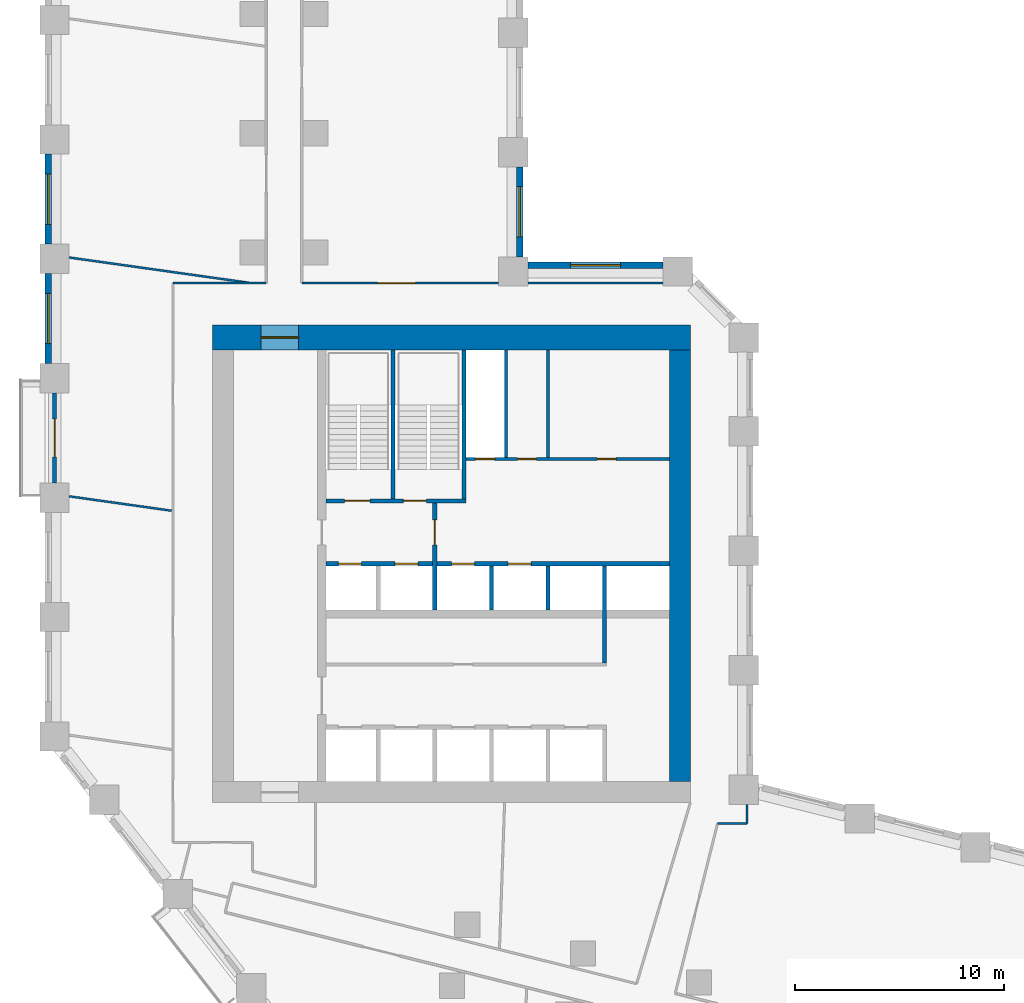
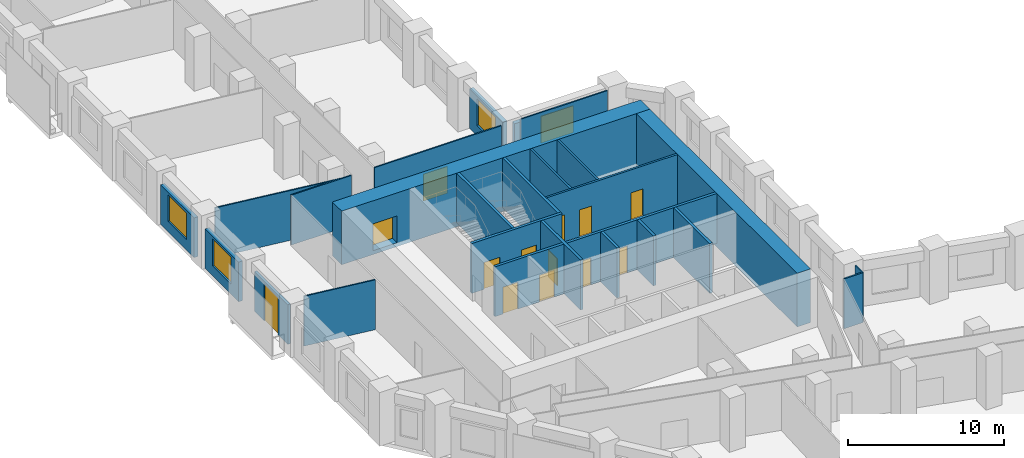
# One storey, part 5 of 11: 25 walls, 13 doors, 4 windows, 17 openings.
"""IFC4 building model written with IfcOpenShell, lengths in metres."""

from ifc_helpers import new_model, si_unit, direction, frame, frame_2d, origin, place, context, subcontext, project, spatial, rectangle, extrude, material, layer, layer_set, type_object, element, fill, save


model = new_model("IFC4")

# Units and contexts
model_context = context("Model", 3, precision=1e-05, world=origin(), true_north=direction((0.0, 1.0)))
body_context = subcontext(model_context, "Body", "Model", "MODEL_VIEW")
ifc_project = project(units=[si_unit("LENGTHUNIT", "METRE"), si_unit("AREAUNIT", "SQUARE_METRE"), si_unit("VOLUMEUNIT", "CUBIC_METRE"), si_unit("PLANEANGLEUNIT", "RADIAN"), si_unit("MASSUNIT", "GRAM", prefix="KILO")], contexts=[model_context])

# Site, building, storey
site_placement = place(None, origin())
site = spatial("IfcSite", under=ifc_project, at=site_placement, CompositionType="ELEMENT")
building_placement = place(site_placement, origin())
building = spatial("IfcBuilding", under=site, at=building_placement, Name="Meshkara Civic Tower", CompositionType="ELEMENT")
storey_placement = place(building_placement, frame((0.0, 0.0, 70.800048828125)))
storey = spatial("IfcBuildingStorey", under=building, at=storey_placement, Name="L15", CompositionType="ELEMENT", Elevation=70.800048828125)

# Wall, openings, doors
ifc_material_1 = material(Name="Blockwork", Category="masonry")
ifc_layer_1 = layer(ifc_material_1, 0.14990234375)
ifc_layer_set_1 = layer_set([ifc_layer_1], Name="Core partition 150")
wall_type_1 = type_object("IfcWallType", Name="Core partition 150", PredefinedType="PARTITIONING", material=ifc_layer_set_1)
wall_1_placement = place(storey_placement, frame((20.10009765625, 30.5, 0.0), z_axis=(0.0, 0.0, 1.0), x_axis=(1.0, 0.0, 0.0)))
wall_1 = element("IfcWall", 1, at=wall_1_placement, inside=storey, type_object=wall_type_1, Name="L15-C010", PredefinedType="PARTITIONING", context=body_context, shape_type="SweptSolid", body=[
    extrude(rectangle(XDim=9.699951171875, YDim=0.14990234375, at=frame_2d((4.85009765625, 0.0))), origin(), (0.0, 0.0, 1.0), 3.89990234375),
])
opening_1_placement = place(wall_1_placement, frame((0.449951171875, 0.0, 0.0)))
opening_1 = element("IfcOpeningElement", 2, at=opening_1_placement, cuts=wall_1, Name="Opening L15-K011", PredefinedType="OPENING", context=body_context, shape_type="SweptSolid", body=[
    extrude(rectangle(XDim=0.89990234375, YDim=2.10009765625, at=frame_2d((0.449951171875, 1.050048828125))), frame((0.0, 0.0849609375, 0.0), z_axis=(0.0, -1.0, 0.0), x_axis=(1.0, 0.0, 0.0)), (0.0, 0.0, 1.0), 0.169921875),
])
opening_2_placement = place(wall_1_placement, frame((2.449951171875, 0.0, 0.0)))
opening_2 = element("IfcOpeningElement", 3, at=opening_2_placement, cuts=wall_1, Name="Opening L15-K012", PredefinedType="OPENING", context=body_context, shape_type="SweptSolid", body=[
    extrude(rectangle(XDim=0.89990234375, YDim=2.10009765625, at=frame_2d((0.449951171875, 1.050048828125))), frame((0.0, 0.0849609375, 0.0), z_axis=(0.0, -1.0, 0.0), x_axis=(1.0, 0.0, 0.0)), (0.0, 0.0, 1.0), 0.169921875),
])
opening_3_placement = place(wall_1_placement, frame((6.25, 0.0, 0.0)))
opening_3 = element("IfcOpeningElement", 4, at=opening_3_placement, cuts=wall_1, Name="Opening L15-K013", PredefinedType="OPENING", context=body_context, shape_type="SweptSolid", body=[
    extrude(rectangle(XDim=0.89990234375, YDim=2.10009765625, at=frame_2d((0.449951171875, 1.050048828125))), frame((0.0, 0.0849609375, 0.0), z_axis=(0.0, -1.0, 0.0), x_axis=(1.0, 0.0, 0.0)), (0.0, 0.0, 1.0), 0.169921875),
])
ifc_material_2 = material(Name="Timber door leaf in steel frame", Category="steel")
door_type_1 = type_object("IfcDoorType", Name="Core room door 900", OperationType="SINGLE_SWING_LEFT", PredefinedType="DOOR", material=ifc_material_2)
door_1_placement = place(opening_3_placement, origin())
door_1 = element("IfcDoor", 5, at=door_1_placement, inside=storey, type_object=door_type_1, Name="L15-K013", OperationType="SINGLE_SWING_RIGHT", OverallHeight=2.10009765625, OverallWidth=0.89990234375, PredefinedType="DOOR", context=body_context, shape_type="SweptSolid", body=[
    extrude(rectangle(XDim=0.89990234375, YDim=2.10009765625, at=frame_2d((0.449951171875, 1.050048828125))), frame((0.0, 0.02490234375, 0.0), z_axis=(0.0, -1.0, 0.0), x_axis=(1.0, 0.0, 0.0)), (0.0, 0.0, 1.0), 0.050048828125),
])
fill(opening_3, door_1)
ifc_material_3 = material(Name="Fire-rated door leaf in steel frame", Category="steel")
door_type_2 = type_object("IfcDoorType", Name="Riser door 900", OperationType="SINGLE_SWING_LEFT", PredefinedType="DOOR", material=ifc_material_3)
door_2_placement = place(opening_1_placement, origin())
door_2 = element("IfcDoor", 6, at=door_2_placement, inside=storey, type_object=door_type_2, Name="L15-K011", OperationType="SINGLE_SWING_RIGHT", OverallHeight=2.10009765625, OverallWidth=0.89990234375, PredefinedType="DOOR", context=body_context, shape_type="SweptSolid", body=[
    extrude(rectangle(XDim=0.89990234375, YDim=2.10009765625, at=frame_2d((0.449951171875, 1.050048828125))), frame((0.0, 0.02490234375, 0.0), z_axis=(0.0, -1.0, 0.0), x_axis=(1.0, 0.0, 0.0)), (0.0, 0.0, 1.0), 0.050048828125),
])
fill(opening_1, door_2)
ifc_material_4 = material(Name="Timber door leaf in steel frame", Category="steel")
door_type_3 = type_object("IfcDoorType", Name="WC door 900", OperationType="SINGLE_SWING_LEFT", PredefinedType="DOOR", material=ifc_material_4)
door_3_placement = place(opening_2_placement, origin())
door_3 = element("IfcDoor", 7, at=door_3_placement, inside=storey, type_object=door_type_3, Name="L15-K012", OperationType="SINGLE_SWING_LEFT", OverallHeight=2.10009765625, OverallWidth=0.89990234375, PredefinedType="DOOR", context=body_context, shape_type="SweptSolid", body=[
    extrude(rectangle(XDim=0.89990234375, YDim=2.10009765625, at=frame_2d((0.449951171875, 1.050048828125))), frame((0.0, 0.02490234375, 0.0), z_axis=(0.0, -1.0, 0.0), x_axis=(1.0, 0.0, 0.0)), (0.0, 0.0, 1.0), 0.050048828125),
])
fill(opening_2, door_3)

# Walls
for number, where, z_axis, x_axis, name in (
    (8, (22.0, 30.574951171875, 0.0), (0.0, 0.0, 1.0), (0.0, 1.0, 0.0), "L15-C020"),
    (9, (24.0, 30.574951171875, 0.0), (0.0, 0.0, 1.0), (0.0, 1.0, 0.0), "L15-C023"),
):
    element("IfcWall", number, at=place(storey_placement, frame(where, z_axis=z_axis, x_axis=x_axis)), inside=storey, type_object=wall_type_1, Name=name, PredefinedType="PARTITIONING", context=body_context, shape_type="SweptSolid", body=[
        extrude(rectangle(XDim=5.125, YDim=0.14990234375, at=frame_2d((2.5625, 0.0))), origin(), (0.0, 0.0, 1.0), 3.89990234375),
    ])
ifc_material_5 = material(Name="Concrete C80", Category="concrete")
ifc_layer_2 = layer(ifc_material_5, 1.0)
ifc_layer_set_2 = layer_set([ifc_layer_2], Name="Core ring wall 1000 C80")
wall_type_2 = type_object("IfcWallType", Name="Core ring wall 1000 C80", PredefinedType="SHEAR", material=ifc_layer_set_2)
wall_2_placement = place(storey_placement, frame((30.300048828125, 15.10009765625, -0.300048828125), z_axis=(0.0, 0.0, 1.0), x_axis=(0.0, 1.0, 0.0)))
element("IfcWall", 10, at=wall_2_placement, inside=storey, type_object=wall_type_2, Name="L15-C004", PredefinedType="SHEAR", context=body_context, shape_type="SweptSolid", body=[
    extrude(rectangle(XDim=20.599853515625, YDim=1.0, at=frame_2d((10.2998046875, 0.0))), origin(), (0.0, 0.0, 1.0), 4.199951171875),
])

# Wall, opening, door
ifc_material_6 = material(Name="Concrete C80", Category="concrete")
ifc_layer_3 = layer(ifc_material_6, 1.199951171875)
ifc_layer_set_3 = layer_set([ifc_layer_3], Name="Core ring wall 1200 C80")
wall_type_3 = type_object("IfcWallType", Name="Core ring wall 1200 C80", PredefinedType="SHEAR", material=ifc_layer_set_3)
wall_3_placement = place(storey_placement, frame((8.0, 36.300048828125, -0.300048828125), z_axis=(0.0, 0.0, 1.0), x_axis=(1.0, 0.0, 0.0)))
wall_3 = element("IfcWall", 11, at=wall_3_placement, inside=storey, type_object=wall_type_3, Name="L15-C002", PredefinedType="SHEAR", context=body_context, shape_type="SweptSolid", body=[
    extrude(rectangle(XDim=22.800048828125, YDim=1.199951171875, at=frame_2d((11.39990234375, 0.0))), origin(), (0.0, 0.0, 1.0), 4.199951171875),
])
opening_4_placement = place(wall_3_placement, frame((2.300048828125, 0.0, 0.300048828125)))
opening_4 = element("IfcOpeningElement", 12, at=opening_4_placement, cuts=wall_3, Name="Opening L15-K019", PredefinedType="OPENING", context=body_context, shape_type="SweptSolid", body=[
    extrude(rectangle(XDim=1.800048828125, YDim=2.10009765625, at=frame_2d((0.89990234375, 1.050048828125))), frame((0.0, 0.60986328125, 0.0), z_axis=(0.0, -1.0, 0.0), x_axis=(1.0, 0.0, 0.0)), (0.0, 0.0, 1.0), 1.219970703125),
])
ifc_material_7 = material(Name="Fire-rated door leaf in steel frame", Category="steel")
door_type_4 = type_object("IfcDoorType", Name="Core double door 1800 EI 60", OperationType="DOUBLE_DOOR_SINGLE_SWING", PredefinedType="DOOR", material=ifc_material_7)
door_4_placement = place(opening_4_placement, origin())
door_4 = element("IfcDoor", 13, at=door_4_placement, inside=storey, type_object=door_type_4, Name="L15-K019", OperationType="DOUBLE_DOOR_SINGLE_SWING", OverallHeight=2.10009765625, OverallWidth=1.800048828125, PredefinedType="DOOR", context=body_context, shape_type="SweptSolid", body=[
    extrude(rectangle(XDim=1.800048828125, YDim=2.10009765625, at=frame_2d((0.89990234375, 1.050048828125))), frame((0.0, 0.02490234375, 0.0), z_axis=(0.0, -1.0, 0.0), x_axis=(1.0, 0.0, 0.0)), (0.0, 0.0, 1.0), 0.050048828125),
])
fill(opening_4, door_4)

# Wall
ifc_material_8 = material(Name="Corridor wall 100")
ifc_layer_4 = layer(ifc_material_8, 0.10009765625)
ifc_layer_set_4 = layer_set([ifc_layer_4], Name="Corridor wall 100")
wall_type_4 = type_object("IfcWallType", Name="Corridor wall 100", PredefinedType="PARTITIONING", material=ifc_layer_set_4)
wall_4_placement = place(storey_placement, frame((6.10009765625, 38.89990234375, 0.0), z_axis=(0.0, 0.0, 1.0), x_axis=(1.0, 0.0, 0.0)))
element("IfcWall", 14, at=wall_4_placement, inside=storey, type_object=wall_type_4, Name="L15-W006", PredefinedType="PARTITIONING", context=body_context, shape_type="SweptSolid", body=[
    extrude(rectangle(XDim=4.449951171875, YDim=0.10009765625, at=frame_2d((2.22509765625, 0.0))), origin(), (0.0, 0.0, 1.0), 3.89990234375),
])

# Wall, opening, door
wall_5_placement = place(storey_placement, frame((21.64990234375, 38.89990234375, 0.0), z_axis=(0.0, 0.0, 1.0), x_axis=(-1.0, 0.0, 0.0)))
wall_5 = element("IfcWall", 15, at=wall_5_placement, inside=storey, type_object=wall_type_4, Name="L15-W018", PredefinedType="PARTITIONING", context=body_context, shape_type="SweptSolid", body=[
    extrude(rectangle(XDim=9.39990234375, YDim=0.10009765625, at=frame_2d((4.699951171875, 0.0))), origin(), (0.0, 0.0, 1.0), 3.89990234375),
])
opening_5_placement = place(wall_5_placement, frame((3.97998046875, 0.0, 0.0)))
opening_5 = element("IfcOpeningElement", 16, at=opening_5_placement, cuts=wall_5, Name="Opening L15-D020", PredefinedType="OPENING", context=body_context, shape_type="SweptSolid", body=[
    extrude(rectangle(XDim=1.800048828125, YDim=2.10009765625, at=frame_2d((0.89990234375, 1.050048828125))), frame((0.0, 0.06005859375, 0.0), z_axis=(0.0, -1.0, 0.0), x_axis=(1.0, 0.0, 0.0)), (0.0, 0.0, 1.0), 0.1201171875),
])
ifc_material_9 = material(Name="Door pair 1800 x 2100")
door_type_5 = type_object("IfcDoorType", Name="Door pair 1800 x 2100", OperationType="SINGLE_SWING_LEFT", PredefinedType="DOOR", material=ifc_material_9)
door_5_placement = place(opening_5_placement, origin())
door_5 = element("IfcDoor", 17, at=door_5_placement, inside=storey, type_object=door_type_5, Name="L15-D020", OperationType="DOUBLE_DOOR_SINGLE_SWING", OverallHeight=2.10009765625, OverallWidth=1.800048828125, PredefinedType="DOOR", context=body_context, shape_type="SweptSolid", body=[
    extrude(rectangle(XDim=1.800048828125, YDim=2.10009765625, at=frame_2d((0.89990234375, 1.050048828125))), frame((0.0, 0.02490234375, 0.0), z_axis=(0.0, -1.0, 0.0), x_axis=(1.0, 0.0, 0.0)), (0.0, 0.0, 1.0), 0.050048828125),
])
fill(opening_5, door_5)

# Walls
wall_6_placement = place(storey_placement, frame((29.493896484375, 38.89990234375, 0.0), z_axis=(0.0, 0.0, 1.0), x_axis=(-1.0, 0.0, 0.0)))
element("IfcWall", 18, at=wall_6_placement, inside=storey, type_object=wall_type_4, Name="L15-W019", PredefinedType="PARTITIONING", context=body_context, shape_type="SweptSolid", body=[
    extrude(rectangle(XDim=6.44384765625, YDim=0.10009765625, at=frame_2d((3.221923828125, 0.0))), origin(), (0.0, 0.0, 1.0), 3.89990234375),
])
wall_7_placement = place(storey_placement, frame((32.096923828125, 13.10009765625, 0.0), z_axis=(0.0, 0.0, 1.0), x_axis=(1.0, 0.0, 0.0)))
element("IfcWall", 19, at=wall_7_placement, inside=storey, type_object=wall_type_4, Name="L15-W023", PredefinedType="PARTITIONING", context=body_context, shape_type="SweptSolid", body=[
    extrude(rectangle(XDim=1.403076171875, YDim=0.10009765625, at=frame_2d((0.70166015625, 0.0))), origin(), (0.0, 0.0, 1.0), 3.89990234375),
])
wall_8_placement = place(storey_placement, frame((33.5, 13.10009765625, 0.0), z_axis=(0.0, 0.0, 1.0), x_axis=(0.0, 1.0, 0.0)))
element("IfcWall", 20, at=wall_8_placement, inside=storey, type_object=wall_type_4, Name="L15-W024", PredefinedType="PARTITIONING", context=body_context, shape_type="SweptSolid", body=[
    extrude(rectangle(XDim=0.9189453125, YDim=0.10009765625, at=frame_2d((0.45947265625, 0.0))), origin(), (0.0, 0.0, 1.0), 3.89990234375),
])

# Wall, opening, window
ifc_material_10 = material(Name="Insulated infill panel with bronze anodised aluminium cladding", Category="aluminium")
ifc_layer_5 = layer(ifc_material_10, 0.300048828125)
ifc_layer_set_5 = layer_set([ifc_layer_5], Name="EXTERNAL INFILL WALL 300")
wall_type_5 = type_object("IfcWallType", Name="EXTERNAL INFILL WALL 300", PredefinedType="SOLIDWALL", material=ifc_layer_set_5)
wall_9_placement = place(storey_placement, frame((29.493896484375, 39.75, 0.0), z_axis=(0.0, 0.0, 1.0), x_axis=(-1.0, 0.0, 0.0)))
wall_9 = element("IfcWall", 21, at=wall_9_placement, inside=storey, type_object=wall_type_5, Name="External wall", PredefinedType="SOLIDWALL", context=body_context, shape_type="SweptSolid", body=[
    extrude(rectangle(XDim=6.44384765625, YDim=0.300048828125, at=frame_2d((3.221923828125, 0.0))), origin(), (0.0, 0.0, 1.0), 3.099853515625),
])
opening_6_placement = place(wall_9_placement, frame((2.02197265625, 0.0, 0.800048828125)))
opening_6 = element("IfcOpeningElement", 22, at=opening_6_placement, cuts=wall_9, Name="Opening W7", PredefinedType="OPENING", context=body_context, shape_type="SweptSolid", body=[
    extrude(rectangle(XDim=2.39990234375, YDim=2.10009765625, at=frame_2d((1.199951171875, 1.050048828125))), frame((0.0, 0.159912109375, 0.0), z_axis=(0.0, -1.0, 0.0), x_axis=(1.0, 0.0, 0.0)), (0.0, 0.0, 1.0), 0.320068359375),
])
ifc_material_11 = material(Name="Tinted double glazing", Category="glass")
window_type = type_object("IfcWindowType", Name="WINDOW 2400x2100", PartitioningType="DOUBLE_PANEL_VERTICAL", PredefinedType="WINDOW", material=ifc_material_11)
window_1_placement = place(opening_6_placement, origin())
window_1 = element("IfcWindow", 23, at=window_1_placement, inside=storey, type_object=window_type, Name="Window", OverallHeight=2.10009765625, OverallWidth=2.39990234375, PartitioningType="DOUBLE_PANEL_VERTICAL", PredefinedType="WINDOW", context=body_context, shape_type="SweptSolid", body=[
    extrude(rectangle(XDim=2.39990234375, YDim=2.10009765625, at=frame_2d((1.199951171875, 1.050048828125))), frame((0.0, 0.030029296875, 0.0), z_axis=(0.0, -1.0, 0.0), x_axis=(1.0, 0.0, 0.0)), (0.0, 0.0, 1.0), 0.06005859375),
])
fill(opening_6, window_1)

wall_10_placement = place(storey_placement, frame((22.64990234375, 40.14990234375, 0.0), z_axis=(0.0, 0.0, 1.0), x_axis=(0.0, 1.0, 0.0)))
wall_10 = element("IfcWall", 24, at=wall_10_placement, inside=storey, type_object=wall_type_5, Name="External wall", PredefinedType="SOLIDWALL", context=body_context, shape_type="SweptSolid", body=[
    extrude(rectangle(XDim=4.300048828125, YDim=0.300048828125, at=frame_2d((2.14990234375, 0.0))), origin(), (0.0, 0.0, 1.0), 3.099853515625),
])
opening_7_placement = place(wall_10_placement, frame((0.949951171875, 0.0, 0.800048828125)))
opening_7 = element("IfcOpeningElement", 25, at=opening_7_placement, cuts=wall_10, Name="Opening W7", PredefinedType="OPENING", context=body_context, shape_type="SweptSolid", body=[
    extrude(rectangle(XDim=2.39990234375, YDim=2.10009765625, at=frame_2d((1.199951171875, 1.050048828125))), frame((0.0, 0.159912109375, 0.0), z_axis=(0.0, -1.0, 0.0), x_axis=(1.0, 0.0, 0.0)), (0.0, 0.0, 1.0), 0.320068359375),
])
window_2_placement = place(opening_7_placement, origin())
window_2 = element("IfcWindow", 26, at=window_2_placement, inside=storey, type_object=window_type, Name="Window", OverallHeight=2.10009765625, OverallWidth=2.39990234375, PartitioningType="DOUBLE_PANEL_VERTICAL", PredefinedType="WINDOW", context=body_context, shape_type="SweptSolid", body=[
    extrude(rectangle(XDim=2.39990234375, YDim=2.10009765625, at=frame_2d((1.199951171875, 1.050048828125))), frame((0.0, 0.030029296875, 0.0), z_axis=(0.0, -1.0, 0.0), x_axis=(1.0, 0.0, 0.0)), (0.0, 0.0, 1.0), 0.06005859375),
])
fill(opening_7, window_2)

wall_11_placement = place(storey_placement, frame((0.14990234375, 45.054931640625, 0.0), z_axis=(0.0, 0.0, 1.0), x_axis=(0.0, -1.0, 0.0)))
wall_11 = element("IfcWall", 27, at=wall_11_placement, inside=storey, type_object=wall_type_5, Name="External wall", PredefinedType="SOLIDWALL", context=body_context, shape_type="SweptSolid", body=[
    extrude(rectangle(XDim=4.300048828125, YDim=0.300048828125, at=frame_2d((2.14990234375, 0.0))), origin(), (0.0, 0.0, 1.0), 3.099853515625),
])
opening_8_placement = place(wall_11_placement, frame((0.949951171875, 0.0, 0.800048828125)))
opening_8 = element("IfcOpeningElement", 28, at=opening_8_placement, cuts=wall_11, Name="Opening W7", PredefinedType="OPENING", context=body_context, shape_type="SweptSolid", body=[
    extrude(rectangle(XDim=2.39990234375, YDim=2.10009765625, at=frame_2d((1.199951171875, 1.050048828125))), frame((0.0, 0.159912109375, 0.0), z_axis=(0.0, -1.0, 0.0), x_axis=(1.0, 0.0, 0.0)), (0.0, 0.0, 1.0), 0.320068359375),
])
window_3_placement = place(opening_8_placement, origin())
window_3 = element("IfcWindow", 29, at=window_3_placement, inside=storey, type_object=window_type, Name="Window", OverallHeight=2.10009765625, OverallWidth=2.39990234375, PartitioningType="DOUBLE_PANEL_VERTICAL", PredefinedType="WINDOW", context=body_context, shape_type="SweptSolid", body=[
    extrude(rectangle(XDim=2.39990234375, YDim=2.10009765625, at=frame_2d((1.199951171875, 1.050048828125))), frame((0.0, 0.030029296875, 0.0), z_axis=(0.0, -1.0, 0.0), x_axis=(1.0, 0.0, 0.0)), (0.0, 0.0, 1.0), 0.06005859375),
])
fill(opening_8, window_3)

wall_12_placement = place(storey_placement, frame((0.14990234375, 39.35498046875, 0.0), z_axis=(0.0, 0.0, 1.0), x_axis=(0.0, -1.0, 0.0)))
wall_12 = element("IfcWall", 30, at=wall_12_placement, inside=storey, type_object=wall_type_5, Name="External wall", PredefinedType="SOLIDWALL", context=body_context, shape_type="SweptSolid", body=[
    extrude(rectangle(XDim=4.300048828125, YDim=0.300048828125, at=frame_2d((2.14990234375, 0.0))), origin(), (0.0, 0.0, 1.0), 3.099853515625),
])
opening_9_placement = place(wall_12_placement, frame((0.949951171875, 0.0, 0.800048828125)))
opening_9 = element("IfcOpeningElement", 31, at=opening_9_placement, cuts=wall_12, Name="Opening W7", PredefinedType="OPENING", context=body_context, shape_type="SweptSolid", body=[
    extrude(rectangle(XDim=2.39990234375, YDim=2.10009765625, at=frame_2d((1.199951171875, 1.050048828125))), frame((0.0, 0.159912109375, 0.0), z_axis=(0.0, -1.0, 0.0), x_axis=(1.0, 0.0, 0.0)), (0.0, 0.0, 1.0), 0.320068359375),
])
window_4_placement = place(opening_9_placement, origin())
window_4 = element("IfcWindow", 32, at=window_4_placement, inside=storey, type_object=window_type, Name="Window", OverallHeight=2.10009765625, OverallWidth=2.39990234375, PartitioningType="DOUBLE_PANEL_VERTICAL", PredefinedType="WINDOW", context=body_context, shape_type="SweptSolid", body=[
    extrude(rectangle(XDim=2.39990234375, YDim=2.10009765625, at=frame_2d((1.199951171875, 1.050048828125))), frame((0.0, 0.030029296875, 0.0), z_axis=(0.0, -1.0, 0.0), x_axis=(1.0, 0.0, 0.0)), (0.0, 0.0, 1.0), 0.06005859375),
])
fill(opening_9, window_4)

# Wall, opening, door
ifc_material_12 = material(Name="Insulated infill panel with bronze anodised aluminium cladding", Category="aluminium")
ifc_layer_6 = layer(ifc_material_12, 0.199951171875)
ifc_layer_set_6 = layer_set([ifc_layer_6], Name="LOGGIA BACK WALL 200")
wall_type_6 = type_object("IfcWallType", Name="LOGGIA BACK WALL 200", PredefinedType="SOLIDWALL", material=ifc_layer_set_6)
wall_13_placement = place(storey_placement, frame((0.449951171875, 33.654052734375, 0.0), z_axis=(0.0, 0.0, 1.0), x_axis=(0.0, -1.0, 0.0)))
wall_13 = element("IfcWall", 33, at=wall_13_placement, inside=storey, type_object=wall_type_6, Name="Loggia wall", PredefinedType="SOLIDWALL", context=body_context, shape_type="SweptSolid", body=[
    extrude(rectangle(XDim=4.298095703125, YDim=0.199951171875, at=frame_2d((2.14892578125, 0.0))), origin(), (0.0, 0.0, 1.0), 3.099853515625),
])
opening_10_placement = place(wall_13_placement, frame((1.2490234375, 0.0, 0.0)))
opening_10 = element("IfcOpeningElement", 34, at=opening_10_placement, cuts=wall_13, Name="Opening L15-L002", PredefinedType="OPENING", context=body_context, shape_type="SweptSolid", body=[
    extrude(rectangle(XDim=1.800048828125, YDim=2.89990234375, at=frame_2d((0.89990234375, 1.449951171875))), frame((0.0, 0.10986328125, 0.0), z_axis=(0.0, -1.0, 0.0), x_axis=(1.0, 0.0, 0.0)), (0.0, 0.0, 1.0), 0.219970703125),
])
ifc_material_13 = material(Name="Tinted double glazing", Category="glass")
door_type_6 = type_object("IfcDoorType", Name="LOGGIA DOOR 1800x2900", OperationType="DOUBLE_DOOR_SINGLE_SWING", PredefinedType="DOOR", material=ifc_material_13)
door_6_placement = place(opening_10_placement, origin())
door_6 = element("IfcDoor", 35, at=door_6_placement, inside=storey, type_object=door_type_6, Name="L15-L002", OperationType="DOUBLE_DOOR_SINGLE_SWING", OverallHeight=2.89990234375, OverallWidth=1.800048828125, PredefinedType="DOOR", context=body_context, shape_type="SweptSolid", body=[
    extrude(rectangle(XDim=1.800048828125, YDim=2.89990234375, at=frame_2d((0.89990234375, 1.449951171875))), frame((0.0, 0.02490234375, 0.0), z_axis=(0.0, -1.0, 0.0), x_axis=(1.0, 0.0, 0.0)), (0.0, 0.0, 1.0), 0.050048828125),
])
fill(opening_10, door_6)

# Walls
ifc_material_14 = material(Name="Partition 100")
ifc_layer_7 = layer(ifc_material_14, 0.10009765625)
ifc_layer_set_7 = layer_set([ifc_layer_7], Name="Partition 100")
wall_type_7 = type_object("IfcWallType", Name="Partition 100", PredefinedType="PARTITIONING", material=ifc_layer_set_7)
wall_14_placement = place(storey_placement, frame((6.04296875, 28.031005859375, 0.0), z_axis=(0.0, 0.0, 1.0), x_axis=(-0.990259346599, 0.139235148125, 0.0)))
element("IfcWall", 36, at=wall_14_placement, inside=storey, type_object=wall_type_7, Name="L15-W036", PredefinedType="PARTITIONING", context=body_context, shape_type="SweptSolid", body=[
    extrude(rectangle(XDim=4.941162109375, YDim=0.10009765625, at=frame_2d((2.470703125, 0.0))), origin(), (0.0, 0.0, 1.0), 3.89990234375),
])
wall_15_placement = place(storey_placement, frame((9.820068359375, 38.89990234375, 0.0), z_axis=(0.0, 0.0, 1.0), x_axis=(-0.99026048374, 0.139227060381, 0.0)))
element("IfcWall", 37, at=wall_15_placement, inside=storey, type_object=wall_type_7, Name="L15-W039", PredefinedType="PARTITIONING", context=body_context, shape_type="SweptSolid", body=[
    extrude(rectangle(XDim=8.75537109375, YDim=0.10009765625, at=frame_2d((4.377685546875, 0.0))), origin(), (0.0, 0.0, 1.0), 3.89990234375),
])

# Wall, openings, doors
ifc_material_15 = material(Name="Concrete C40/50", Category="concrete")
ifc_layer_8 = layer(ifc_material_15, 0.199951171875)
ifc_layer_set_8 = layer_set([ifc_layer_8], Name="Shaft wall 200 C40/50")
wall_type_8 = type_object("IfcWallType", Name="Shaft wall 200 C40/50", PredefinedType="SOLIDWALL", material=ifc_layer_set_8)
wall_16_placement = place(storey_placement, frame((13.39990234375, 25.5, 0.0), z_axis=(0.0, 0.0, 1.0), x_axis=(1.0, 0.0, 0.0)))
wall_16 = element("IfcWall", 38, at=wall_16_placement, inside=storey, type_object=wall_type_8, Name="L15-C008", PredefinedType="SOLIDWALL", context=body_context, shape_type="SweptSolid", body=[
    extrude(rectangle(XDim=16.400146484375, YDim=0.199951171875, at=frame_2d((8.2001953125, 0.0))), origin(), (0.0, 0.0, 1.0), 3.89990234375),
])
opening_11_placement = place(wall_16_placement, frame((0.60009765625, 0.0, 0.0)))
opening_11 = element("IfcOpeningElement", 39, at=opening_11_placement, cuts=wall_16, Name="Opening L15-K006", PredefinedType="OPENING", context=body_context, shape_type="SweptSolid", body=[
    extrude(rectangle(XDim=1.10009765625, YDim=2.10009765625, at=frame_2d((0.550048828125, 1.050048828125))), frame((0.0, 0.10986328125, 0.0), z_axis=(0.0, -1.0, 0.0), x_axis=(1.0, 0.0, 0.0)), (0.0, 0.0, 1.0), 0.219970703125),
])
opening_12_placement = place(wall_16_placement, frame((3.300048828125, 0.0, 0.0)))
opening_12 = element("IfcOpeningElement", 40, at=opening_12_placement, cuts=wall_16, Name="Opening L15-K007", PredefinedType="OPENING", context=body_context, shape_type="SweptSolid", body=[
    extrude(rectangle(XDim=1.10009765625, YDim=2.10009765625, at=frame_2d((0.550048828125, 1.050048828125))), frame((0.0, 0.10986328125, 0.0), z_axis=(0.0, -1.0, 0.0), x_axis=(1.0, 0.0, 0.0)), (0.0, 0.0, 1.0), 0.219970703125),
])
opening_13_placement = place(wall_16_placement, frame((6.0, 0.0, 0.0)))
opening_13 = element("IfcOpeningElement", 41, at=opening_13_placement, cuts=wall_16, Name="Opening L15-K008", PredefinedType="OPENING", context=body_context, shape_type="SweptSolid", body=[
    extrude(rectangle(XDim=1.10009765625, YDim=2.10009765625, at=frame_2d((0.550048828125, 1.050048828125))), frame((0.0, 0.10986328125, 0.0), z_axis=(0.0, -1.0, 0.0), x_axis=(1.0, 0.0, 0.0)), (0.0, 0.0, 1.0), 0.219970703125),
])
opening_14_placement = place(wall_16_placement, frame((8.699951171875, 0.0, 0.0)))
opening_14 = element("IfcOpeningElement", 42, at=opening_14_placement, cuts=wall_16, Name="Opening L15-K009", PredefinedType="OPENING", context=body_context, shape_type="SweptSolid", body=[
    extrude(rectangle(XDim=1.10009765625, YDim=2.10009765625, at=frame_2d((0.550048828125, 1.050048828125))), frame((0.0, 0.10986328125, 0.0), z_axis=(0.0, -1.0, 0.0), x_axis=(1.0, 0.0, 0.0)), (0.0, 0.0, 1.0), 0.219970703125),
])
ifc_material_16 = material(Name="Stainless steel landing door", Category="steel")
door_type_7 = type_object("IfcDoorType", Name="Lift landing door 1100", OperationType="SLIDING_TO_LEFT", PredefinedType="DOOR", material=ifc_material_16)
door_7_placement = place(opening_11_placement, origin())
door_7 = element("IfcDoor", 43, at=door_7_placement, inside=storey, type_object=door_type_7, Name="L15-K006", OperationType="SLIDING_TO_LEFT", OverallHeight=2.10009765625, OverallWidth=1.10009765625, PredefinedType="DOOR", context=body_context, shape_type="SweptSolid", body=[
    extrude(rectangle(XDim=1.10009765625, YDim=2.10009765625, at=frame_2d((0.550048828125, 1.050048828125))), frame((0.0, 0.02490234375, 0.0), z_axis=(0.0, -1.0, 0.0), x_axis=(1.0, 0.0, 0.0)), (0.0, 0.0, 1.0), 0.050048828125),
])
fill(opening_11, door_7)
door_8_placement = place(opening_12_placement, origin())
door_8 = element("IfcDoor", 44, at=door_8_placement, inside=storey, type_object=door_type_7, Name="L15-K007", OperationType="SLIDING_TO_LEFT", OverallHeight=2.10009765625, OverallWidth=1.10009765625, PredefinedType="DOOR", context=body_context, shape_type="SweptSolid", body=[
    extrude(rectangle(XDim=1.10009765625, YDim=2.10009765625, at=frame_2d((0.550048828125, 1.050048828125))), frame((0.0, 0.02490234375, 0.0), z_axis=(0.0, -1.0, 0.0), x_axis=(1.0, 0.0, 0.0)), (0.0, 0.0, 1.0), 0.050048828125),
])
fill(opening_12, door_8)
door_9_placement = place(opening_13_placement, origin())
door_9 = element("IfcDoor", 45, at=door_9_placement, inside=storey, type_object=door_type_7, Name="L15-K008", OperationType="SLIDING_TO_LEFT", OverallHeight=2.10009765625, OverallWidth=1.10009765625, PredefinedType="DOOR", context=body_context, shape_type="SweptSolid", body=[
    extrude(rectangle(XDim=1.10009765625, YDim=2.10009765625, at=frame_2d((0.550048828125, 1.050048828125))), frame((0.0, 0.02490234375, 0.0), z_axis=(0.0, -1.0, 0.0), x_axis=(1.0, 0.0, 0.0)), (0.0, 0.0, 1.0), 0.050048828125),
])
fill(opening_13, door_9)
door_10_placement = place(opening_14_placement, origin())
door_10 = element("IfcDoor", 46, at=door_10_placement, inside=storey, type_object=door_type_7, Name="L15-K009", OperationType="SLIDING_TO_LEFT", OverallHeight=2.10009765625, OverallWidth=1.10009765625, PredefinedType="DOOR", context=body_context, shape_type="SweptSolid", body=[
    extrude(rectangle(XDim=1.10009765625, YDim=2.10009765625, at=frame_2d((0.550048828125, 1.050048828125))), frame((0.0, 0.02490234375, 0.0), z_axis=(0.0, -1.0, 0.0), x_axis=(1.0, 0.0, 0.0)), (0.0, 0.0, 1.0), 0.050048828125),
])
fill(opening_14, door_10)

# Wall, opening, door
wall_17_placement = place(storey_placement, frame((18.60009765625, 23.300048828125, 0.0), z_axis=(0.0, 0.0, 1.0), x_axis=(0.0, 1.0, 0.0)))
wall_17 = element("IfcWall", 47, at=wall_17_placement, inside=storey, type_object=wall_type_8, Name="L15-C016", PredefinedType="SOLIDWALL", context=body_context, shape_type="SweptSolid", body=[
    extrude(rectangle(XDim=5.099853515625, YDim=0.199951171875, at=frame_2d((2.5498046875, 0.0))), origin(), (0.0, 0.0, 1.0), 3.89990234375),
])
opening_15_placement = place(wall_17_placement, frame((3.10009765625, 0.0, 0.0)))
opening_15 = element("IfcOpeningElement", 48, at=opening_15_placement, cuts=wall_17, Name="Opening L15-K018", PredefinedType="OPENING", context=body_context, shape_type="SweptSolid", body=[
    extrude(rectangle(XDim=1.199951171875, YDim=2.10009765625, at=frame_2d((0.60009765625, 1.050048828125))), frame((0.0, 0.10986328125, 0.0), z_axis=(0.0, -1.0, 0.0), x_axis=(1.0, 0.0, 0.0)), (0.0, 0.0, 1.0), 0.219970703125),
])
ifc_material_17 = material(Name="Fire-rated door leaf in steel frame", Category="steel")
door_type_8 = type_object("IfcDoorType", Name="Fire-fighting lobby door 1200 EI 120", OperationType="SINGLE_SWING_LEFT", PredefinedType="DOOR", material=ifc_material_17)
door_11_placement = place(opening_15_placement, origin())
door_11 = element("IfcDoor", 49, at=door_11_placement, inside=storey, type_object=door_type_8, Name="L15-K018", OperationType="SINGLE_SWING_RIGHT", OverallHeight=2.10009765625, OverallWidth=1.199951171875, PredefinedType="DOOR", context=body_context, shape_type="SweptSolid", body=[
    extrude(rectangle(XDim=1.199951171875, YDim=2.10009765625, at=frame_2d((0.60009765625, 1.050048828125))), frame((0.0, 0.02490234375, 0.0), z_axis=(0.0, -1.0, 0.0), x_axis=(1.0, 0.0, 0.0)), (0.0, 0.0, 1.0), 0.050048828125),
])
fill(opening_15, door_11)

# Walls
for number, where, z_axis, x_axis, name in (
    (50, (21.300048828125, 23.300048828125, 0.0), (0.0, 0.0, 1.0), (0.0, 1.0, 0.0), "L15-C019"),
    (51, (24.0, 23.300048828125, 0.0), (0.0, 0.0, 1.0), (0.0, 1.0, 0.0), "L15-C022"),
):
    element("IfcWall", number, at=place(storey_placement, frame(where, z_axis=z_axis, x_axis=x_axis)), inside=storey, type_object=wall_type_8, Name=name, PredefinedType="SOLIDWALL", context=body_context, shape_type="SweptSolid", body=[
        extrude(rectangle(XDim=2.099853515625, YDim=0.199951171875, at=frame_2d((1.0498046875, 0.0))), origin(), (0.0, 0.0, 1.0), 3.89990234375),
    ])
wall_18_placement = place(storey_placement, frame((26.699951171875, 20.77490234375, 0.0), z_axis=(0.0, 0.0, 1.0), x_axis=(0.0, 1.0, 0.0)))
element("IfcWall", 52, at=wall_18_placement, inside=storey, type_object=wall_type_8, Name="L15-C025", PredefinedType="SOLIDWALL", context=body_context, shape_type="SweptSolid", body=[
    extrude(rectangle(XDim=4.625, YDim=0.199951171875, at=frame_2d((2.3125, 0.0))), origin(), (0.0, 0.0, 1.0), 3.89990234375),
])

# Wall, openings, doors
ifc_material_18 = material(Name="Concrete C40/50", Category="concrete")
ifc_layer_9 = layer(ifc_material_18, 0.199951171875)
ifc_layer_set_9 = layer_set([ifc_layer_9], Name="Stair enclosure wall 200 C40/50")
wall_type_9 = type_object("IfcWallType", Name="Stair enclosure wall 200 C40/50", PredefinedType="SOLIDWALL", material=ifc_layer_set_9)
wall_19_placement = place(storey_placement, frame((13.39990234375, 28.5, 0.0), z_axis=(0.0, 0.0, 1.0), x_axis=(1.0, 0.0, 0.0)))
wall_19 = element("IfcWall", 53, at=wall_19_placement, inside=storey, type_object=wall_type_9, Name="L15-C009", PredefinedType="SOLIDWALL", context=body_context, shape_type="SweptSolid", body=[
    extrude(rectangle(XDim=6.7001953125, YDim=0.199951171875, at=frame_2d((3.35009765625, 0.0))), origin(), (0.0, 0.0, 1.0), 3.89990234375),
])
opening_16_placement = place(wall_19_placement, frame((0.89990234375, 0.0, 0.0)))
opening_16 = element("IfcOpeningElement", 54, at=opening_16_placement, cuts=wall_19, Name="Opening L15-K014", PredefinedType="OPENING", context=body_context, shape_type="SweptSolid", body=[
    extrude(rectangle(XDim=1.199951171875, YDim=2.10009765625, at=frame_2d((0.60009765625, 1.050048828125))), frame((0.0, 0.10986328125, 0.0), z_axis=(0.0, -1.0, 0.0), x_axis=(1.0, 0.0, 0.0)), (0.0, 0.0, 1.0), 0.219970703125),
])
opening_17_placement = place(wall_19_placement, frame((3.699951171875, 0.0, 0.0)))
opening_17 = element("IfcOpeningElement", 55, at=opening_17_placement, cuts=wall_19, Name="Opening L15-K015", PredefinedType="OPENING", context=body_context, shape_type="SweptSolid", body=[
    extrude(rectangle(XDim=1.10009765625, YDim=2.10009765625, at=frame_2d((0.550048828125, 1.050048828125))), frame((0.0, 0.10986328125, 0.0), z_axis=(0.0, -1.0, 0.0), x_axis=(1.0, 0.0, 0.0)), (0.0, 0.0, 1.0), 0.219970703125),
])
ifc_material_19 = material(Name="Fire-rated door leaf in steel frame", Category="steel")
door_type_9 = type_object("IfcDoorType", Name="Stair door 1100 EI 120", OperationType="SINGLE_SWING_LEFT", PredefinedType="DOOR", material=ifc_material_19)
door_12_placement = place(opening_17_placement, origin())
door_12 = element("IfcDoor", 56, at=door_12_placement, inside=storey, type_object=door_type_9, Name="L15-K015", OperationType="SINGLE_SWING_LEFT", OverallHeight=2.10009765625, OverallWidth=1.10009765625, PredefinedType="DOOR", context=body_context, shape_type="SweptSolid", body=[
    extrude(rectangle(XDim=1.10009765625, YDim=2.10009765625, at=frame_2d((0.550048828125, 1.050048828125))), frame((0.0, 0.02490234375, 0.0), z_axis=(0.0, -1.0, 0.0), x_axis=(1.0, 0.0, 0.0)), (0.0, 0.0, 1.0), 0.050048828125),
])
fill(opening_17, door_12)
ifc_material_20 = material(Name="Fire-rated door leaf in steel frame", Category="steel")
door_type_10 = type_object("IfcDoorType", Name="Stair door 1200 EI 120", OperationType="SINGLE_SWING_LEFT", PredefinedType="DOOR", material=ifc_material_20)
door_13_placement = place(opening_16_placement, origin())
door_13 = element("IfcDoor", 57, at=door_13_placement, inside=storey, type_object=door_type_10, Name="L15-K014", OperationType="SINGLE_SWING_RIGHT", OverallHeight=2.10009765625, OverallWidth=1.199951171875, PredefinedType="DOOR", context=body_context, shape_type="SweptSolid", body=[
    extrude(rectangle(XDim=1.199951171875, YDim=2.10009765625, at=frame_2d((0.60009765625, 1.050048828125))), frame((0.0, 0.02490234375, 0.0), z_axis=(0.0, -1.0, 0.0), x_axis=(1.0, 0.0, 0.0)), (0.0, 0.0, 1.0), 0.050048828125),
])
fill(opening_16, door_13)

# Walls
for number, where, z_axis, x_axis, name in (
    (58, (16.60009765625, 28.60009765625, 0.0), (0.0, 0.0, 1.0), (0.0, 1.0, 0.0), "L15-C014"),
    (59, (20.0, 28.60009765625, 0.0), (0.0, 0.0, 1.0), (0.0, 1.0, 0.0), "L15-C017"),
):
    element("IfcWall", number, at=place(storey_placement, frame(where, z_axis=z_axis, x_axis=x_axis)), inside=storey, type_object=wall_type_9, Name=name, PredefinedType="SOLIDWALL", context=body_context, shape_type="SweptSolid", body=[
        extrude(rectangle(XDim=7.099853515625, YDim=0.199951171875, at=frame_2d((3.5498046875, 0.0))), origin(), (0.0, 0.0, 1.0), 3.89990234375),
    ])

save(model, "model.ifc")
